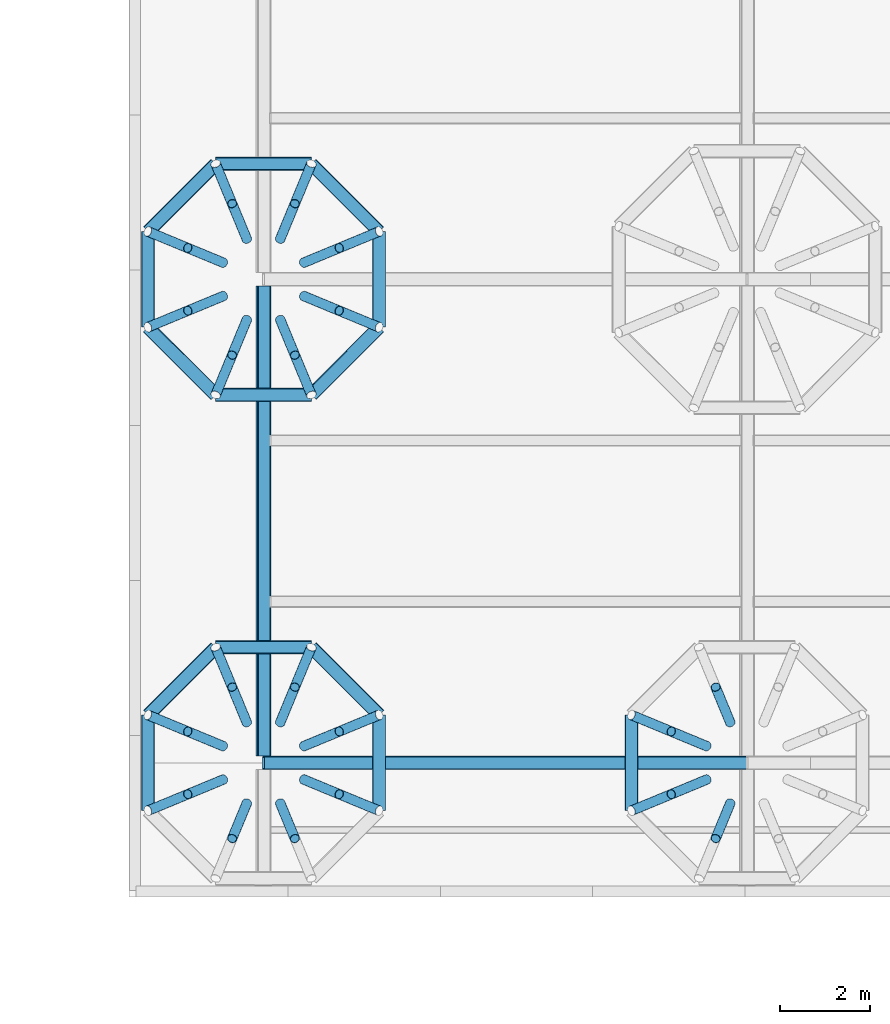
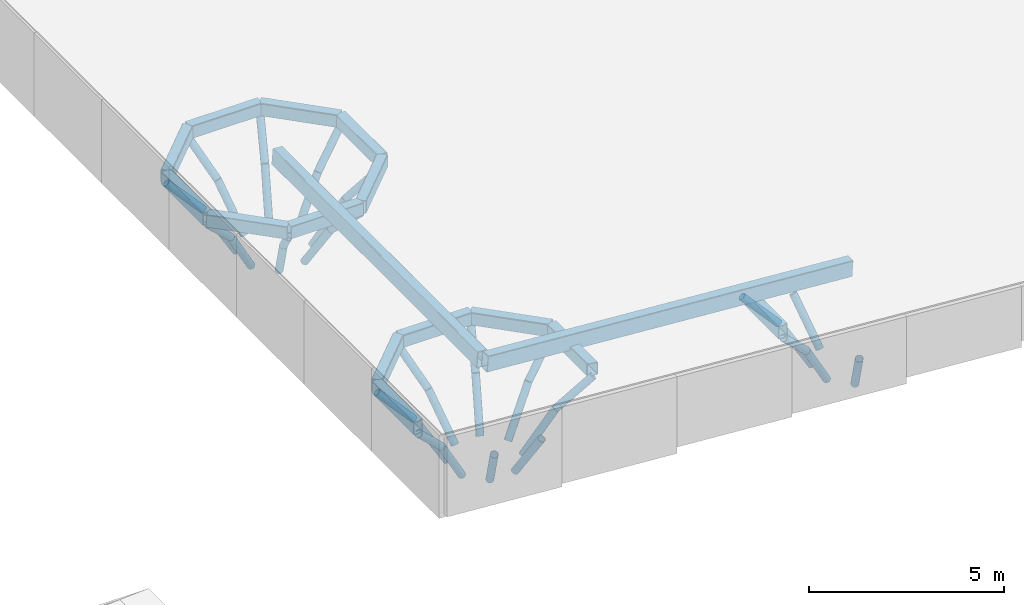
# One storey, part 36 of 95: 36 members, 16 beams.
"""IFC4 building model written with IfcOpenShell, lengths in metres."""

from ifc_helpers import new_model, si_unit, direction, frame, origin, origin_2d, place, context, subcontext, project, spatial, hollow_rectangle, hollow_circle, extrude, clip, halfspace, material, material_profile, profile_set, type_object, element, save


model = new_model("IFC4")

# Units and contexts
model_context = context("Model", 3, precision=1e-05, world=origin(), true_north=direction((0.0, 1.0)))
body_context = subcontext(model_context, "Body", "Model", "MODEL_VIEW")
ifc_project = project(units=[si_unit("LENGTHUNIT", "METRE"), si_unit("AREAUNIT", "SQUARE_METRE"), si_unit("VOLUMEUNIT", "CUBIC_METRE"), si_unit("PLANEANGLEUNIT", "RADIAN"), si_unit("MASSUNIT", "GRAM", prefix="KILO")], contexts=[model_context])

# Site, building, storey
site_placement = place(None, origin())
site = spatial("IfcSite", under=ifc_project, at=site_placement, CompositionType="ELEMENT")
building_placement = place(site_placement, origin())
building = spatial("IfcBuilding", under=site, at=building_placement, Name="Magnolia Steps Interchange", CompositionType="ELEMENT")
storey_placement = place(building_placement, frame((0.0, 0.0, 4.800048828125)))
storey = spatial("IfcBuildingStorey", under=building, at=storey_placement, Name="L01", CompositionType="ELEMENT", Elevation=4.800048828125)

# Beams
ifc_material_1 = material(Name="Steel Q355B", Category="steel")
ifc_material_profile_1 = material_profile(ifc_material_1, hollow_rectangle(XDim=0.300048828125, YDim=0.39990234375, WallThickness=0.013916015625, InnerFilletRadius=0.013916015625, OuterFilletRadius=0.028076171875, at=origin_2d()), Name="RHS400x300x14")
ifc_profile_set_1 = profile_set([ifc_material_profile_1], Name="Steel Q355B")
beam_type_1 = type_object("IfcBeamType", Name="Ring beam RHS400x300x14", PredefinedType="BEAM", material=ifc_profile_set_1)
beam_1_placement = place(storey_placement, frame((152.97998046875, 43.46875, 3.3310546875), z_axis=(-0.707106781187, 0.707106781187, 0.0), x_axis=(-0.707106781187, -0.707106781187, 0.0)))
element("IfcBeam", 1, at=beam_1_placement, inside=storey, type_object=beam_type_1, Name="Ring beam TC01A", PredefinedType="BEAM", context=body_context, shape_type="Clipping", body=[
    clip(clip(extrude(hollow_rectangle(XDim=0.300048828125, YDim=0.39990234375, WallThickness=0.013916015625, InnerFilletRadius=0.013916015625, OuterFilletRadius=0.028076171875, at=origin_2d()), origin(), (0.0, 0.0, 1.0), 2.13720703125), halfspace(frame((0.0, 0.0, 0.0), z_axis=(0.382683433, 0.0, -0.923879532), x_axis=(0.923879532, 0.0, 0.382683433)), False)), halfspace(frame((0.0, 0.0, 2.137202625), z_axis=(0.382683433, 0.0, 0.923879532), x_axis=(0.923879532, 0.0, -0.382683433)), False)),
])
beam_2_placement = place(storey_placement, frame((151.46875, 44.97998046875, 3.3310546875), z_axis=(-1.0, 0.0, 0.0), x_axis=(0.0, -1.0, 0.0)))
element("IfcBeam", 2, at=beam_2_placement, inside=storey, type_object=beam_type_1, Name="Ring beam TC01A", PredefinedType="BEAM", context=body_context, shape_type="Clipping", body=[
    clip(clip(extrude(hollow_rectangle(XDim=0.300048828125, YDim=0.39990234375, WallThickness=0.013916015625, InnerFilletRadius=0.013916015625, OuterFilletRadius=0.028076171875, at=origin_2d()), origin(), (0.0, 0.0, 1.0), 2.137451171875), halfspace(frame((0.0, 0.0, 0.0), z_axis=(0.382683432, 0.0, -0.923879533), x_axis=(0.923879533, 0.0, 0.382683432)), False)), halfspace(frame((0.0, 0.0, 2.137451172), z_axis=(0.382683432, 0.0, 0.923879533), x_axis=(0.923879533, 0.0, -0.382683432)), False)),
])
beam_3_placement = place(storey_placement, frame((149.331298828125, 44.97998046875, 3.3310546875), z_axis=(-0.707106781187, -0.707106781187, 0.0), x_axis=(0.707106781187, -0.707106781187, 0.0)))
element("IfcBeam", 3, at=beam_3_placement, inside=storey, type_object=beam_type_1, Name="Ring beam TC01A", PredefinedType="BEAM", context=body_context, shape_type="Clipping", body=[
    clip(clip(extrude(hollow_rectangle(XDim=0.300048828125, YDim=0.39990234375, WallThickness=0.013916015625, InnerFilletRadius=0.013916015625, OuterFilletRadius=0.028076171875, at=origin_2d()), origin(), (0.0, 0.0, 1.0), 2.13720703125), halfspace(frame((0.0, 0.0, 0.0), z_axis=(0.382683433, 0.0, -0.923879532), x_axis=(0.923879532, 0.0, 0.382683433)), False)), halfspace(frame((0.0, 0.0, 2.137202625), z_axis=(0.382683433, 0.0, 0.923879532), x_axis=(0.923879532, 0.0, -0.382683433)), False)),
])
for number, where, z_axis, x_axis, name in (
    (4, (147.820068359375, 43.46875, 3.3310546875), (0.0, -1.0, 0.0), (1.0, 0.0, 0.0), "Ring beam TC01A"),
    (5, (152.97998046875, 41.331298828125, 3.3310546875), (0.0, 1.0, 0.0), (-1.0, 0.0, 0.0), "Ring beam TC01A"),
):
    element("IfcBeam", number, at=place(storey_placement, frame(where, z_axis=z_axis, x_axis=x_axis)), inside=storey, type_object=beam_type_1, Name=name, PredefinedType="BEAM", context=body_context, shape_type="Clipping", body=[
        clip(clip(extrude(hollow_rectangle(XDim=0.300048828125, YDim=0.39990234375, WallThickness=0.013916015625, InnerFilletRadius=0.013916015625, OuterFilletRadius=0.028076171875, at=origin_2d()), origin(), (0.0, 0.0, 1.0), 2.137451171875), halfspace(frame((0.0, 0.0, 0.0), z_axis=(0.382683432, 0.0, -0.923879533), x_axis=(0.923879533, 0.0, 0.382683432)), False)), halfspace(frame((0.0, 0.0, 2.137451172), z_axis=(0.382683432, 0.0, 0.923879533), x_axis=(0.923879533, 0.0, -0.382683432)), False)),
    ])
beam_4_placement = place(storey_placement, frame((152.97998046875, 54.268798828125, 3.3310546875), z_axis=(-0.707106781187, 0.707106781187, 0.0), x_axis=(-0.707106781187, -0.707106781187, 0.0)))
element("IfcBeam", 6, at=beam_4_placement, inside=storey, type_object=beam_type_1, Name="Ring beam TC01B", PredefinedType="BEAM", context=body_context, shape_type="Clipping", body=[
    clip(clip(extrude(hollow_rectangle(XDim=0.300048828125, YDim=0.39990234375, WallThickness=0.013916015625, InnerFilletRadius=0.013916015625, OuterFilletRadius=0.028076171875, at=origin_2d()), origin(), (0.0, 0.0, 1.0), 2.13720703125), halfspace(frame((0.0, 0.0, 0.0), z_axis=(0.382683433, 0.0, -0.923879532), x_axis=(0.923879532, 0.0, 0.382683433)), False)), halfspace(frame((0.0, 0.0, 2.137202625), z_axis=(0.382683433, 0.0, 0.923879532), x_axis=(0.923879532, 0.0, -0.382683433)), False)),
])
beam_5_placement = place(storey_placement, frame((151.46875, 55.780029296875, 3.3310546875), z_axis=(-1.0, 0.0, 0.0), x_axis=(0.0, -1.0, 0.0)))
element("IfcBeam", 7, at=beam_5_placement, inside=storey, type_object=beam_type_1, Name="Ring beam TC01B", PredefinedType="BEAM", context=body_context, shape_type="Clipping", body=[
    clip(clip(extrude(hollow_rectangle(XDim=0.300048828125, YDim=0.39990234375, WallThickness=0.013916015625, InnerFilletRadius=0.013916015625, OuterFilletRadius=0.028076171875, at=origin_2d()), origin(), (0.0, 0.0, 1.0), 2.137451171875), halfspace(frame((0.0, 0.0, 0.0), z_axis=(0.382683432, 0.0, -0.923879533), x_axis=(0.923879533, 0.0, 0.382683432)), False)), halfspace(frame((0.0, 0.0, 2.137451172), z_axis=(0.382683432, 0.0, 0.923879533), x_axis=(0.923879533, 0.0, -0.382683432)), False)),
])
beam_6_placement = place(storey_placement, frame((149.331298828125, 55.780029296875, 3.3310546875), z_axis=(-0.707106781187, -0.707106781187, 0.0), x_axis=(0.707106781187, -0.707106781187, 0.0)))
element("IfcBeam", 8, at=beam_6_placement, inside=storey, type_object=beam_type_1, Name="Ring beam TC01B", PredefinedType="BEAM", context=body_context, shape_type="Clipping", body=[
    clip(clip(extrude(hollow_rectangle(XDim=0.300048828125, YDim=0.39990234375, WallThickness=0.013916015625, InnerFilletRadius=0.013916015625, OuterFilletRadius=0.028076171875, at=origin_2d()), origin(), (0.0, 0.0, 1.0), 2.13720703125), halfspace(frame((0.0, 0.0, 0.0), z_axis=(0.382683433, 0.0, -0.923879532), x_axis=(0.923879532, 0.0, 0.382683433)), False)), halfspace(frame((0.0, 0.0, 2.137202625), z_axis=(0.382683433, 0.0, 0.923879532), x_axis=(0.923879532, 0.0, -0.382683433)), False)),
])
beam_7_placement = place(storey_placement, frame((147.820068359375, 54.268798828125, 3.3310546875), z_axis=(0.0, -1.0, 0.0), x_axis=(1.0, 0.0, 0.0)))
element("IfcBeam", 9, at=beam_7_placement, inside=storey, type_object=beam_type_1, Name="Ring beam TC01B", PredefinedType="BEAM", context=body_context, shape_type="Clipping", body=[
    clip(clip(extrude(hollow_rectangle(XDim=0.300048828125, YDim=0.39990234375, WallThickness=0.013916015625, InnerFilletRadius=0.013916015625, OuterFilletRadius=0.028076171875, at=origin_2d()), origin(), (0.0, 0.0, 1.0), 2.137451171875), halfspace(frame((0.0, 0.0, 0.0), z_axis=(0.382683432, 0.0, -0.923879533), x_axis=(0.923879533, 0.0, 0.382683432)), False)), halfspace(frame((0.0, 0.0, 2.137451172), z_axis=(0.382683432, 0.0, 0.923879533), x_axis=(0.923879533, 0.0, -0.382683432)), False)),
])
beam_8_placement = place(storey_placement, frame((147.820068359375, 52.13134765625, 3.3310546875), z_axis=(0.707106781187, -0.707106781187, 0.0), x_axis=(0.707106781187, 0.707106781187, 0.0)))
element("IfcBeam", 10, at=beam_8_placement, inside=storey, type_object=beam_type_1, Name="Ring beam TC01B", PredefinedType="BEAM", context=body_context, shape_type="Clipping", body=[
    clip(clip(extrude(hollow_rectangle(XDim=0.300048828125, YDim=0.39990234375, WallThickness=0.013916015625, InnerFilletRadius=0.013916015625, OuterFilletRadius=0.028076171875, at=origin_2d()), origin(), (0.0, 0.0, 1.0), 2.13720703125), halfspace(frame((0.0, 0.0, 0.0), z_axis=(0.382683433, 0.0, -0.923879532), x_axis=(0.923879532, 0.0, 0.382683433)), False)), halfspace(frame((0.0, 0.0, 2.137202625), z_axis=(0.382683433, 0.0, 0.923879532), x_axis=(0.923879532, 0.0, -0.382683433)), False)),
])
beam_9_placement = place(storey_placement, frame((149.331298828125, 50.6201171875, 3.3310546875), z_axis=(1.0, 0.0, 0.0), x_axis=(0.0, 1.0, 0.0)))
element("IfcBeam", 11, at=beam_9_placement, inside=storey, type_object=beam_type_1, Name="Ring beam TC01B", PredefinedType="BEAM", context=body_context, shape_type="Clipping", body=[
    clip(clip(extrude(hollow_rectangle(XDim=0.300048828125, YDim=0.39990234375, WallThickness=0.013916015625, InnerFilletRadius=0.013916015625, OuterFilletRadius=0.028076171875, at=origin_2d()), origin(), (0.0, 0.0, 1.0), 2.137451171875), halfspace(frame((0.0, 0.0, 0.0), z_axis=(0.382683432, 0.0, -0.923879533), x_axis=(0.923879533, 0.0, 0.382683432)), False)), halfspace(frame((0.0, 0.0, 2.137451172), z_axis=(0.382683432, 0.0, 0.923879533), x_axis=(0.923879533, 0.0, -0.382683432)), False)),
])
beam_10_placement = place(storey_placement, frame((151.46875, 50.6201171875, 3.3310546875), z_axis=(0.707106781187, 0.707106781187, 0.0), x_axis=(-0.707106781187, 0.707106781187, 0.0)))
element("IfcBeam", 12, at=beam_10_placement, inside=storey, type_object=beam_type_1, Name="Ring beam TC01B", PredefinedType="BEAM", context=body_context, shape_type="Clipping", body=[
    clip(clip(extrude(hollow_rectangle(XDim=0.300048828125, YDim=0.39990234375, WallThickness=0.013916015625, InnerFilletRadius=0.013916015625, OuterFilletRadius=0.028076171875, at=origin_2d()), origin(), (0.0, 0.0, 1.0), 2.13720703125), halfspace(frame((0.0, 0.0, 0.0), z_axis=(0.382683433, 0.0, -0.923879532), x_axis=(0.923879532, 0.0, 0.382683433)), False)), halfspace(frame((0.0, 0.0, 2.137202625), z_axis=(0.382683433, 0.0, 0.923879532), x_axis=(0.923879532, 0.0, -0.382683433)), False)),
])
for number, where, z_axis, x_axis, name in (
    (13, (152.97998046875, 52.13134765625, 3.3310546875), (0.0, 1.0, 0.0), (-1.0, 0.0, 0.0), "Ring beam TC01B"),
    (14, (158.6201171875, 43.46875, 2.543701171875), (0.0, -1.0, 0.0), (1.0, 0.0, 0.0), "Ring beam TC02A"),
):
    element("IfcBeam", number, at=place(storey_placement, frame(where, z_axis=z_axis, x_axis=x_axis)), inside=storey, type_object=beam_type_1, Name=name, PredefinedType="BEAM", context=body_context, shape_type="Clipping", body=[
        clip(clip(extrude(hollow_rectangle(XDim=0.300048828125, YDim=0.39990234375, WallThickness=0.013916015625, InnerFilletRadius=0.013916015625, OuterFilletRadius=0.028076171875, at=origin_2d()), origin(), (0.0, 0.0, 1.0), 2.137451171875), halfspace(frame((0.0, 0.0, 0.0), z_axis=(0.382683432, 0.0, -0.923879533), x_axis=(0.923879533, 0.0, 0.382683432)), False)), halfspace(frame((0.0, 0.0, 2.137451172), z_axis=(0.382683432, 0.0, 0.923879533), x_axis=(0.923879533, 0.0, -0.382683432)), False)),
    ])
ifc_material_2 = material(Name="Steel Q355B", Category="steel")
ifc_material_profile_2 = material_profile(ifc_material_2, hollow_rectangle(XDim=0.300048828125, YDim=0.5, WallThickness=0.01611328125, InnerFilletRadius=0.01611328125, OuterFilletRadius=0.031982421875, at=origin_2d()), Name="RHS500x300x16")
ifc_profile_set_2 = profile_set([ifc_material_profile_2], Name="Steel Q355B")
beam_type_2 = type_object("IfcBeamType", Name="Roof beam RHS500x300x16", PredefinedType="BEAM", material=ifc_profile_set_2)
beam_11_placement = place(storey_placement, frame((150.39990234375, 42.39990234375, 3.830322265625), z_axis=(0.997351503613, 0.0, -0.072732236604), x_axis=(0.0, 1.0, 0.0)))
element("IfcBeam", 15, at=beam_11_placement, inside=storey, type_object=beam_type_2, Name="Roof beam", PredefinedType="BEAM", context=body_context, shape_type="SweptSolid", body=[
    extrude(hollow_rectangle(XDim=0.300048828125, YDim=0.5, WallThickness=0.01611328125, InnerFilletRadius=0.01611328125, OuterFilletRadius=0.031982421875, at=origin_2d()), origin(), (0.0, 0.0, 1.0), 10.82861328125),
])
beam_12_placement = place(storey_placement, frame((150.39990234375, 42.550048828125, 3.830322265625), z_axis=(0.0, 1.0, 0.0), x_axis=(-0.997352109794, 0.0, 0.072723923782)))
element("IfcBeam", 16, at=beam_12_placement, inside=storey, type_object=beam_type_2, Name="Roof beam", PredefinedType="BEAM", context=body_context, shape_type="SweptSolid", body=[
    extrude(hollow_rectangle(XDim=0.300048828125, YDim=0.5, WallThickness=0.01611328125, InnerFilletRadius=0.01611328125, OuterFilletRadius=0.031982421875, at=origin_2d()), origin(), (0.0, 0.0, 1.0), 10.5),
])

# Members
ifc_material_3 = material(Name="Steel Q355B", Category="steel")
ifc_material_profile_3 = material_profile(ifc_material_3, hollow_circle(Radius=0.109619140625, WallThickness=0.010009765625, at=origin_2d()), Name="CHS219x10")
ifc_profile_set_3 = profile_set([ifc_material_profile_3], Name="Steel Q355B")
member_type = type_object("IfcMemberType", Name="Tree rib CHS219x10", PredefinedType="USERDEFINED", material=ifc_profile_set_3)
member_1_placement = place(storey_placement, frame((151.298583984375, 42.772216796875, 0.82861328125), z_axis=(0.489585971714, 0.202675633104, 0.848073206773), x_axis=(-0.382494123671, 0.923957924019, 0.0)))
element("IfcMember", 17, at=member_1_placement, inside=storey, type_object=member_type, Name="Tree rib TC01A", ObjectType="TREE RIB", PredefinedType="USERDEFINED", context=body_context, shape_type="SweptSolid", body=[
    extrude(hollow_circle(Radius=0.109619140625, WallThickness=0.010009765625, at=origin_2d()), origin(), (0.0, 0.0, 1.0), 1.6201171875),
])
member_2_placement = place(storey_placement, frame((152.091796875, 43.1005859375, 2.20263671875), z_axis=(0.664515987598, 0.275450827185, 0.694654838053), x_axis=(-0.382919895219, 0.923781550934, 0.0)))
element("IfcMember", 18, at=member_2_placement, inside=storey, type_object=member_type, Name="Tree rib TC01A", ObjectType="TREE RIB", PredefinedType="USERDEFINED", context=body_context, shape_type="SweptSolid", body=[
    extrude(hollow_circle(Radius=0.109619140625, WallThickness=0.010009765625, at=origin_2d()), origin(), (0.0, 0.0, 1.0), 1.336669921875),
])
member_3_placement = place(storey_placement, frame((150.772216796875, 43.298583984375, 0.82861328125), z_axis=(0.202675633104, 0.489585971714, 0.848073206773), x_axis=(-0.923957924019, 0.382494123671, 0.0)))
element("IfcMember", 19, at=member_3_placement, inside=storey, type_object=member_type, Name="Tree rib TC01A", ObjectType="TREE RIB", PredefinedType="USERDEFINED", context=body_context, shape_type="SweptSolid", body=[
    extrude(hollow_circle(Radius=0.109619140625, WallThickness=0.010009765625, at=origin_2d()), origin(), (0.0, 0.0, 1.0), 1.6201171875),
])
member_4_placement = place(storey_placement, frame((151.1005859375, 44.091796875, 2.20263671875), z_axis=(0.275450827185, 0.664515987598, 0.694654838053), x_axis=(-0.923781550934, 0.382919895219, 0.0)))
element("IfcMember", 20, at=member_4_placement, inside=storey, type_object=member_type, Name="Tree rib TC01A", ObjectType="TREE RIB", PredefinedType="USERDEFINED", context=body_context, shape_type="SweptSolid", body=[
    extrude(hollow_circle(Radius=0.109619140625, WallThickness=0.010009765625, at=origin_2d()), origin(), (0.0, 0.0, 1.0), 1.336669921875),
])
member_5_placement = place(storey_placement, frame((150.02783203125, 43.298583984375, 0.82861328125), z_axis=(-0.202820124805, 0.489571014481, 0.848047297475), x_axis=(-0.923857399968, -0.382736860682, 0.0)))
element("IfcMember", 21, at=member_5_placement, inside=storey, type_object=member_type, Name="Tree rib TC01A", ObjectType="TREE RIB", PredefinedType="USERDEFINED", context=body_context, shape_type="SweptSolid", body=[
    extrude(hollow_circle(Radius=0.109619140625, WallThickness=0.010009765625, at=origin_2d()), origin(), (0.0, 0.0, 1.0), 1.6201171875),
])
member_6_placement = place(storey_placement, frame((149.69921875, 44.091796875, 2.20263671875), z_axis=(-0.275282013715, 0.664549413336, 0.694689779801), x_axis=(-0.92387135647, -0.382703170478, 0.0)))
element("IfcMember", 22, at=member_6_placement, inside=storey, type_object=member_type, Name="Tree rib TC01A", ObjectType="TREE RIB", PredefinedType="USERDEFINED", context=body_context, shape_type="SweptSolid", body=[
    extrude(hollow_circle(Radius=0.109619140625, WallThickness=0.010009765625, at=origin_2d()), origin(), (0.0, 0.0, 1.0), 1.33642578125),
])
member_7_placement = place(storey_placement, frame((149.50146484375, 42.772216796875, 0.82861328125), z_axis=(-0.489585971714, 0.202675633104, 0.848073206773), x_axis=(-0.382494123671, -0.923957924019, 0.0)))
element("IfcMember", 23, at=member_7_placement, inside=storey, type_object=member_type, Name="Tree rib TC01A", ObjectType="TREE RIB", PredefinedType="USERDEFINED", context=body_context, shape_type="SweptSolid", body=[
    extrude(hollow_circle(Radius=0.109619140625, WallThickness=0.010009765625, at=origin_2d()), origin(), (0.0, 0.0, 1.0), 1.6201171875),
])
member_8_placement = place(storey_placement, frame((148.708251953125, 43.1005859375, 2.20263671875), z_axis=(-0.664515987598, 0.275450827185, 0.694654838053), x_axis=(-0.382919895219, -0.923781550934, 0.0)))
element("IfcMember", 24, at=member_8_placement, inside=storey, type_object=member_type, Name="Tree rib TC01A", ObjectType="TREE RIB", PredefinedType="USERDEFINED", context=body_context, shape_type="SweptSolid", body=[
    extrude(hollow_circle(Radius=0.109619140625, WallThickness=0.010009765625, at=origin_2d()), origin(), (0.0, 0.0, 1.0), 1.336669921875),
])
member_9_placement = place(storey_placement, frame((149.50146484375, 42.02783203125, 0.82861328125), z_axis=(-0.489571014481, -0.202820124805, 0.848047297475), x_axis=(0.382736860682, -0.923857399968, 0.0)))
element("IfcMember", 25, at=member_9_placement, inside=storey, type_object=member_type, Name="Tree rib TC01A", ObjectType="TREE RIB", PredefinedType="USERDEFINED", context=body_context, shape_type="SweptSolid", body=[
    extrude(hollow_circle(Radius=0.109619140625, WallThickness=0.010009765625, at=origin_2d()), origin(), (0.0, 0.0, 1.0), 1.6201171875),
])
member_10_placement = place(storey_placement, frame((148.708251953125, 41.69921875, 2.20263671875), z_axis=(-0.664549413336, -0.275282013715, 0.694689779801), x_axis=(0.382703170478, -0.92387135647, 0.0)))
element("IfcMember", 26, at=member_10_placement, inside=storey, type_object=member_type, Name="Tree rib TC01A", ObjectType="TREE RIB", PredefinedType="USERDEFINED", context=body_context, shape_type="SweptSolid", body=[
    extrude(hollow_circle(Radius=0.109619140625, WallThickness=0.010009765625, at=origin_2d()), origin(), (0.0, 0.0, 1.0), 1.33642578125),
])
for number, where, z_axis, x_axis, name in (
    (27, (150.02783203125, 41.50146484375, 0.82861328125), (-0.202820124805, -0.489571014481, 0.848047297475), (0.923857399968, -0.382736860682, 0.0), "Tree rib TC01A"),
    (28, (150.772216796875, 41.50146484375, 0.82861328125), (0.202675633104, -0.489585971714, 0.848073206773), (0.923957924019, 0.382494123671, 0.0), "Tree rib TC01A"),
    (29, (151.298583984375, 42.02783203125, 0.82861328125), (0.489571014481, -0.202820124805, 0.848047297475), (0.382736860682, 0.923857399968, 0.0), "Tree rib TC01A"),
):
    element("IfcMember", number, at=place(storey_placement, frame(where, z_axis=z_axis, x_axis=x_axis)), inside=storey, type_object=member_type, Name=name, ObjectType="TREE RIB", PredefinedType="USERDEFINED", context=body_context, shape_type="SweptSolid", body=[
        extrude(hollow_circle(Radius=0.109619140625, WallThickness=0.010009765625, at=origin_2d()), origin(), (0.0, 0.0, 1.0), 1.6201171875),
    ])
member_11_placement = place(storey_placement, frame((152.091796875, 41.69921875, 2.20263671875), z_axis=(0.664549413336, -0.275282013715, 0.694689779801), x_axis=(0.382703170478, 0.92387135647, 0.0)))
element("IfcMember", 30, at=member_11_placement, inside=storey, type_object=member_type, Name="Tree rib TC01A", ObjectType="TREE RIB", PredefinedType="USERDEFINED", context=body_context, shape_type="SweptSolid", body=[
    extrude(hollow_circle(Radius=0.109619140625, WallThickness=0.010009765625, at=origin_2d()), origin(), (0.0, 0.0, 1.0), 1.33642578125),
])
member_12_placement = place(storey_placement, frame((151.298583984375, 53.572265625, 0.82861328125), z_axis=(0.489585971714, 0.202675633104, 0.848073206773), x_axis=(-0.382494123671, 0.923957924019, 0.0)))
element("IfcMember", 31, at=member_12_placement, inside=storey, type_object=member_type, Name="Tree rib TC01B", ObjectType="TREE RIB", PredefinedType="USERDEFINED", context=body_context, shape_type="SweptSolid", body=[
    extrude(hollow_circle(Radius=0.109619140625, WallThickness=0.010009765625, at=origin_2d()), origin(), (0.0, 0.0, 1.0), 1.6201171875),
])
member_13_placement = place(storey_placement, frame((152.091796875, 53.900634765625, 2.20263671875), z_axis=(0.664515987598, 0.275450827185, 0.694654838053), x_axis=(-0.382919895219, 0.923781550934, 0.0)))
element("IfcMember", 32, at=member_13_placement, inside=storey, type_object=member_type, Name="Tree rib TC01B", ObjectType="TREE RIB", PredefinedType="USERDEFINED", context=body_context, shape_type="SweptSolid", body=[
    extrude(hollow_circle(Radius=0.109619140625, WallThickness=0.010009765625, at=origin_2d()), origin(), (0.0, 0.0, 1.0), 1.336669921875),
])
member_14_placement = place(storey_placement, frame((150.772216796875, 54.098388671875, 0.82861328125), z_axis=(0.202660680098, 0.489700528117, 0.848010637613), x_axis=(-0.923999513248, 0.382393644713, 0.0)))
element("IfcMember", 33, at=member_14_placement, inside=storey, type_object=member_type, Name="Tree rib TC01B", ObjectType="TREE RIB", PredefinedType="USERDEFINED", context=body_context, shape_type="SweptSolid", body=[
    extrude(hollow_circle(Radius=0.109619140625, WallThickness=0.010009765625, at=origin_2d()), origin(), (0.0, 0.0, 1.0), 1.620361328125),
])
member_15_placement = place(storey_placement, frame((151.1005859375, 54.891845703125, 2.20263671875), z_axis=(0.275450827185, 0.664515987598, 0.694654838053), x_axis=(-0.923781550934, 0.382919895219, 0.0)))
element("IfcMember", 34, at=member_15_placement, inside=storey, type_object=member_type, Name="Tree rib TC01B", ObjectType="TREE RIB", PredefinedType="USERDEFINED", context=body_context, shape_type="SweptSolid", body=[
    extrude(hollow_circle(Radius=0.109619140625, WallThickness=0.010009765625, at=origin_2d()), origin(), (0.0, 0.0, 1.0), 1.336669921875),
])
member_16_placement = place(storey_placement, frame((150.02783203125, 54.098388671875, 0.82861328125), z_axis=(-0.202805162052, 0.489685569591, 0.847984734049), x_axis=(-0.923899037473, -0.382636339827, 0.0)))
element("IfcMember", 35, at=member_16_placement, inside=storey, type_object=member_type, Name="Tree rib TC01B", ObjectType="TREE RIB", PredefinedType="USERDEFINED", context=body_context, shape_type="SweptSolid", body=[
    extrude(hollow_circle(Radius=0.109619140625, WallThickness=0.010009765625, at=origin_2d()), origin(), (0.0, 0.0, 1.0), 1.620361328125),
])
member_17_placement = place(storey_placement, frame((149.69921875, 54.891845703125, 2.20263671875), z_axis=(-0.275282013715, 0.664549413336, 0.694689779801), x_axis=(-0.92387135647, -0.382703170478, 0.0)))
element("IfcMember", 36, at=member_17_placement, inside=storey, type_object=member_type, Name="Tree rib TC01B", ObjectType="TREE RIB", PredefinedType="USERDEFINED", context=body_context, shape_type="SweptSolid", body=[
    extrude(hollow_circle(Radius=0.109619140625, WallThickness=0.010009765625, at=origin_2d()), origin(), (0.0, 0.0, 1.0), 1.33642578125),
])
member_18_placement = place(storey_placement, frame((149.50146484375, 53.572265625, 0.82861328125), z_axis=(-0.489585971714, 0.202675633104, 0.848073206773), x_axis=(-0.382494123671, -0.923957924019, 0.0)))
element("IfcMember", 37, at=member_18_placement, inside=storey, type_object=member_type, Name="Tree rib TC01B", ObjectType="TREE RIB", PredefinedType="USERDEFINED", context=body_context, shape_type="SweptSolid", body=[
    extrude(hollow_circle(Radius=0.109619140625, WallThickness=0.010009765625, at=origin_2d()), origin(), (0.0, 0.0, 1.0), 1.6201171875),
])
member_19_placement = place(storey_placement, frame((148.708251953125, 53.900634765625, 2.20263671875), z_axis=(-0.664515987598, 0.275450827185, 0.694654838053), x_axis=(-0.382919895219, -0.923781550934, 0.0)))
element("IfcMember", 38, at=member_19_placement, inside=storey, type_object=member_type, Name="Tree rib TC01B", ObjectType="TREE RIB", PredefinedType="USERDEFINED", context=body_context, shape_type="SweptSolid", body=[
    extrude(hollow_circle(Radius=0.109619140625, WallThickness=0.010009765625, at=origin_2d()), origin(), (0.0, 0.0, 1.0), 1.336669921875),
])
member_20_placement = place(storey_placement, frame((149.50146484375, 52.827880859375, 0.82861328125), z_axis=(-0.489571014481, -0.202820124805, 0.848047297475), x_axis=(0.382736860682, -0.923857399968, 0.0)))
element("IfcMember", 39, at=member_20_placement, inside=storey, type_object=member_type, Name="Tree rib TC01B", ObjectType="TREE RIB", PredefinedType="USERDEFINED", context=body_context, shape_type="SweptSolid", body=[
    extrude(hollow_circle(Radius=0.109619140625, WallThickness=0.010009765625, at=origin_2d()), origin(), (0.0, 0.0, 1.0), 1.6201171875),
])
member_21_placement = place(storey_placement, frame((148.708251953125, 52.499267578125, 2.20263671875), z_axis=(-0.664549413336, -0.275282013715, 0.694689779801), x_axis=(0.382703170478, -0.92387135647, 0.0)))
element("IfcMember", 40, at=member_21_placement, inside=storey, type_object=member_type, Name="Tree rib TC01B", ObjectType="TREE RIB", PredefinedType="USERDEFINED", context=body_context, shape_type="SweptSolid", body=[
    extrude(hollow_circle(Radius=0.109619140625, WallThickness=0.010009765625, at=origin_2d()), origin(), (0.0, 0.0, 1.0), 1.33642578125),
])
member_22_placement = place(storey_placement, frame((150.02783203125, 52.301513671875, 0.82861328125), z_axis=(-0.202820124805, -0.489571014481, 0.848047297475), x_axis=(0.923857399968, -0.382736860682, 0.0)))
element("IfcMember", 41, at=member_22_placement, inside=storey, type_object=member_type, Name="Tree rib TC01B", ObjectType="TREE RIB", PredefinedType="USERDEFINED", context=body_context, shape_type="SweptSolid", body=[
    extrude(hollow_circle(Radius=0.109619140625, WallThickness=0.010009765625, at=origin_2d()), origin(), (0.0, 0.0, 1.0), 1.6201171875),
])
member_23_placement = place(storey_placement, frame((149.69921875, 51.50830078125, 2.20263671875), z_axis=(-0.275282013715, -0.664549413336, 0.694689779801), x_axis=(0.92387135647, -0.382703170478, 0.0)))
element("IfcMember", 42, at=member_23_placement, inside=storey, type_object=member_type, Name="Tree rib TC01B", ObjectType="TREE RIB", PredefinedType="USERDEFINED", context=body_context, shape_type="SweptSolid", body=[
    extrude(hollow_circle(Radius=0.109619140625, WallThickness=0.010009765625, at=origin_2d()), origin(), (0.0, 0.0, 1.0), 1.33642578125),
])
member_24_placement = place(storey_placement, frame((150.772216796875, 52.301513671875, 0.82861328125), z_axis=(0.202675633104, -0.489585971714, 0.848073206773), x_axis=(0.923957924019, 0.382494123671, 0.0)))
element("IfcMember", 43, at=member_24_placement, inside=storey, type_object=member_type, Name="Tree rib TC01B", ObjectType="TREE RIB", PredefinedType="USERDEFINED", context=body_context, shape_type="SweptSolid", body=[
    extrude(hollow_circle(Radius=0.109619140625, WallThickness=0.010009765625, at=origin_2d()), origin(), (0.0, 0.0, 1.0), 1.6201171875),
])
member_25_placement = place(storey_placement, frame((151.1005859375, 51.50830078125, 2.20263671875), z_axis=(0.275450827185, -0.664515987598, 0.694654838053), x_axis=(0.923781550934, 0.382919895219, 0.0)))
element("IfcMember", 44, at=member_25_placement, inside=storey, type_object=member_type, Name="Tree rib TC01B", ObjectType="TREE RIB", PredefinedType="USERDEFINED", context=body_context, shape_type="SweptSolid", body=[
    extrude(hollow_circle(Radius=0.109619140625, WallThickness=0.010009765625, at=origin_2d()), origin(), (0.0, 0.0, 1.0), 1.336669921875),
])
member_26_placement = place(storey_placement, frame((151.298583984375, 52.827880859375, 0.82861328125), z_axis=(0.489571014481, -0.202820124805, 0.848047297475), x_axis=(0.382736860682, 0.923857399968, 0.0)))
element("IfcMember", 45, at=member_26_placement, inside=storey, type_object=member_type, Name="Tree rib TC01B", ObjectType="TREE RIB", PredefinedType="USERDEFINED", context=body_context, shape_type="SweptSolid", body=[
    extrude(hollow_circle(Radius=0.109619140625, WallThickness=0.010009765625, at=origin_2d()), origin(), (0.0, 0.0, 1.0), 1.6201171875),
])
member_27_placement = place(storey_placement, frame((152.091796875, 52.499267578125, 2.20263671875), z_axis=(0.664549413336, -0.275282013715, 0.694689779801), x_axis=(0.382703170478, 0.92387135647, 0.0)))
element("IfcMember", 46, at=member_27_placement, inside=storey, type_object=member_type, Name="Tree rib TC01B", ObjectType="TREE RIB", PredefinedType="USERDEFINED", context=body_context, shape_type="SweptSolid", body=[
    extrude(hollow_circle(Radius=0.109619140625, WallThickness=0.010009765625, at=origin_2d()), origin(), (0.0, 0.0, 1.0), 1.33642578125),
])
member_28_placement = place(storey_placement, frame((160.827880859375, 43.298583984375, 0.041259765625), z_axis=(-0.202846045209, 0.489633581637, 0.84800497503), x_axis=(-0.923857399968, -0.382736860682, 0.0)))
element("IfcMember", 47, at=member_28_placement, inside=storey, type_object=member_type, Name="Tree rib TC02A", ObjectType="TREE RIB", PredefinedType="USERDEFINED", context=body_context, shape_type="SweptSolid", body=[
    extrude(hollow_circle(Radius=0.109619140625, WallThickness=0.010009765625, at=origin_2d()), origin(), (0.0, 0.0, 1.0), 1.6201171875),
])
member_29_placement = place(storey_placement, frame((160.301513671875, 42.772216796875, 0.041259765625), z_axis=(-0.489648544606, 0.202701536625, 0.848030889658), x_axis=(-0.382494123671, -0.923957924019, 0.0)))
element("IfcMember", 48, at=member_29_placement, inside=storey, type_object=member_type, Name="Tree rib TC02A", ObjectType="TREE RIB", PredefinedType="USERDEFINED", context=body_context, shape_type="SweptSolid", body=[
    extrude(hollow_circle(Radius=0.109619140625, WallThickness=0.010009765625, at=origin_2d()), origin(), (0.0, 0.0, 1.0), 1.619873046875),
])
member_30_placement = place(storey_placement, frame((159.50830078125, 43.1005859375, 1.4150390625), z_axis=(-0.664431675155, 0.275415878541, 0.694749338177), x_axis=(-0.382919895219, -0.923781550934, 0.0)))
element("IfcMember", 49, at=member_30_placement, inside=storey, type_object=member_type, Name="Tree rib TC02A", ObjectType="TREE RIB", PredefinedType="USERDEFINED", context=body_context, shape_type="SweptSolid", body=[
    extrude(hollow_circle(Radius=0.109619140625, WallThickness=0.010009765625, at=origin_2d()), origin(), (0.0, 0.0, 1.0), 1.336669921875),
])
member_31_placement = place(storey_placement, frame((160.301513671875, 42.02783203125, 0.041259765625), z_axis=(-0.489633581637, -0.202846045209, 0.84800497503), x_axis=(0.382736860682, -0.923857399968, 0.0)))
element("IfcMember", 50, at=member_31_placement, inside=storey, type_object=member_type, Name="Tree rib TC02A", ObjectType="TREE RIB", PredefinedType="USERDEFINED", context=body_context, shape_type="SweptSolid", body=[
    extrude(hollow_circle(Radius=0.109619140625, WallThickness=0.010009765625, at=origin_2d()), origin(), (0.0, 0.0, 1.0), 1.6201171875),
])
member_32_placement = place(storey_placement, frame((159.50830078125, 41.69921875, 1.4150390625), z_axis=(-0.664465088171, -0.275247082978, 0.694784275811), x_axis=(0.382703170478, -0.92387135647, 0.0)))
element("IfcMember", 51, at=member_32_placement, inside=storey, type_object=member_type, Name="Tree rib TC02A", ObjectType="TREE RIB", PredefinedType="USERDEFINED", context=body_context, shape_type="SweptSolid", body=[
    extrude(hollow_circle(Radius=0.109619140625, WallThickness=0.010009765625, at=origin_2d()), origin(), (0.0, 0.0, 1.0), 1.336669921875),
])
member_33_placement = place(storey_placement, frame((160.827880859375, 41.50146484375, 0.041259765625), z_axis=(-0.202846045209, -0.489633581637, 0.84800497503), x_axis=(0.923857399968, -0.382736860682, 0.0)))
element("IfcMember", 52, at=member_33_placement, inside=storey, type_object=member_type, Name="Tree rib TC02A", ObjectType="TREE RIB", PredefinedType="USERDEFINED", context=body_context, shape_type="SweptSolid", body=[
    extrude(hollow_circle(Radius=0.109619140625, WallThickness=0.010009765625, at=origin_2d()), origin(), (0.0, 0.0, 1.0), 1.6201171875),
])

save(model, "model.ifc")
